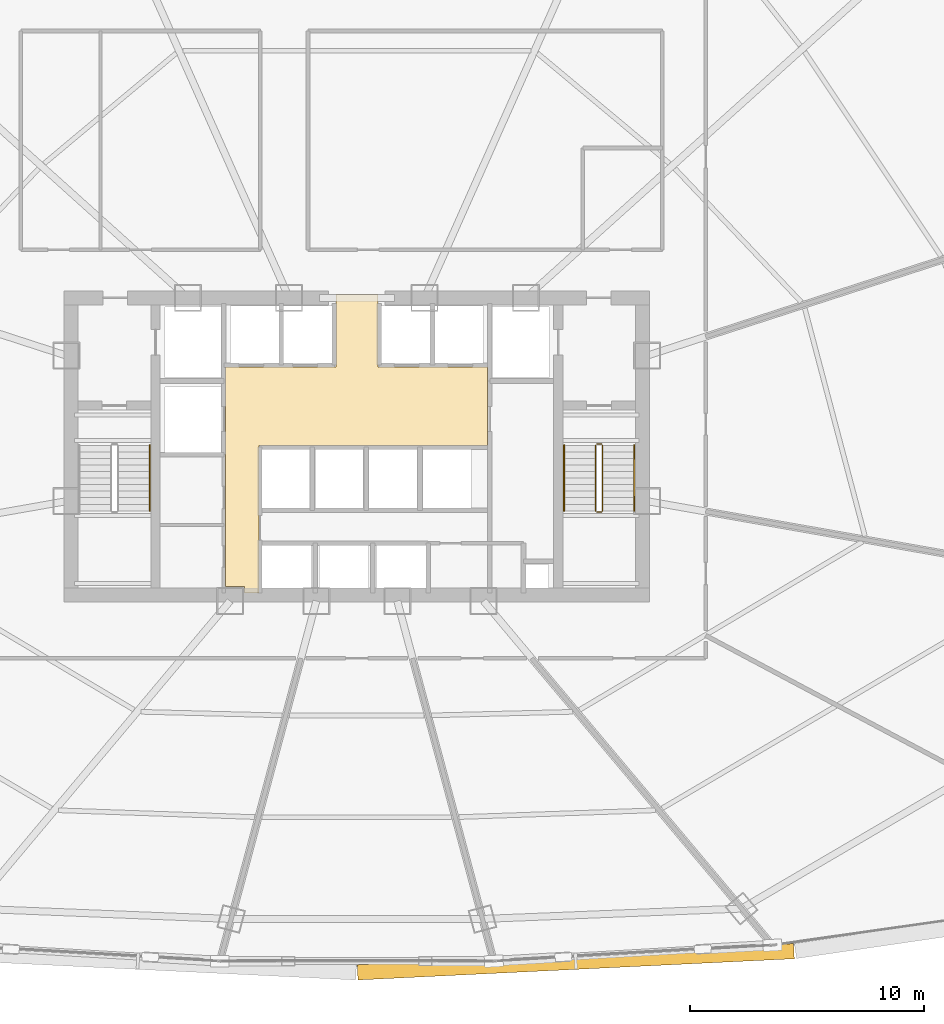
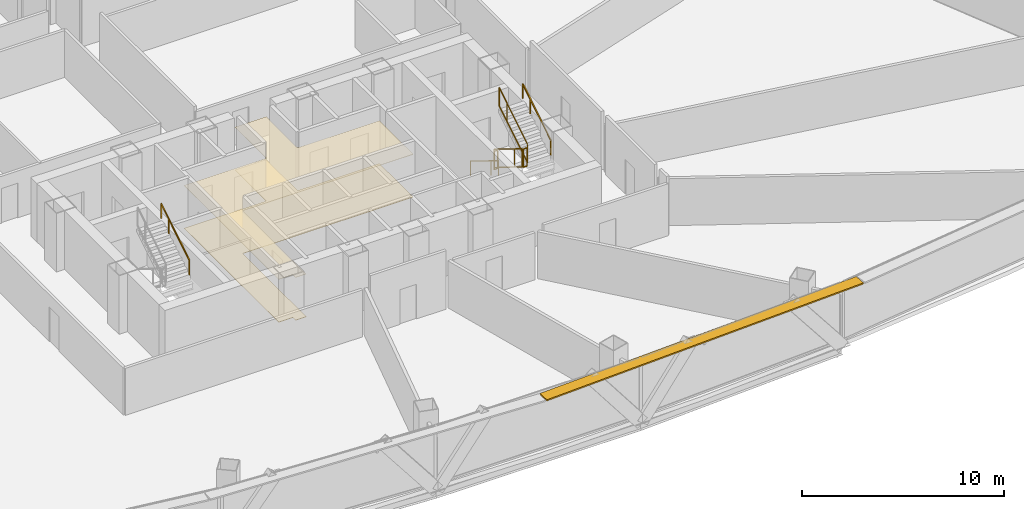
# One storey, part 37 of 39: 7 railings, 2 coverings, 1 shading device.
"""IFC4 building model written with IfcOpenShell, lengths in metres."""

from ifc_helpers import new_model, si_unit, direction, frame, origin, origin_2d, place, context, subcontext, project, spatial, polyline, rectangle, outline, extrude, source, transform, mapped, material, layer, layer_set, type_object, element, save


model = new_model("IFC4")

# Units and contexts
model_context = context("Model", 3, precision=1e-05, world=origin(), true_north=direction((0.0, 1.0)))
body_context = subcontext(model_context, "Body", "Model", "MODEL_VIEW")
ifc_project = project(units=[si_unit("LENGTHUNIT", "METRE"), si_unit("AREAUNIT", "SQUARE_METRE"), si_unit("VOLUMEUNIT", "CUBIC_METRE"), si_unit("PLANEANGLEUNIT", "RADIAN"), si_unit("MASSUNIT", "GRAM", prefix="KILO"), si_unit("THERMODYNAMICTEMPERATUREUNIT", "KELVIN"), si_unit("POWERUNIT", "WATT")], contexts=[model_context])

# Site, building, storey
site_placement = place(None, origin())
site = spatial("IfcSite", under=ifc_project, at=site_placement, CompositionType="ELEMENT")
building_placement = place(site_placement, origin())
building = spatial("IfcBuilding", under=site, at=building_placement, Name="Yunzhuo Pagoda Commons", CompositionType="ELEMENT")
storey_placement = place(building_placement, frame((0.0, 0.0, 96.3798828125)))
storey = spatial("IfcBuildingStorey", under=building, at=storey_placement, Name="L24", CompositionType="ELEMENT", Elevation=96.3798828125)

# Coverings
ifc_material_1 = material(Name="Mineral fibre acoustic ceiling board")
ifc_layer_1 = layer(ifc_material_1, 0.02490234375)
ifc_layer_set_1 = layer_set([ifc_layer_1], Name="Mineral fibre acoustic ceiling board")
covering_type_1 = type_object("IfcCoveringType", Name="COV-CL1 Ceiling 25", PredefinedType="CEILING", material=ifc_layer_set_1)
covering_1_placement = place(storey_placement, frame((0.0, 0.0, 2.590087890625)))
element("IfcCovering", 1, at=covering_1_placement, inside=storey, type_object=covering_type_1, Name="L24 lift lobby acoustic ceiling", PredefinedType="CEILING", context=body_context, shape_type="SweptSolid", body=[
    extrude(outline(polyline([(43.207763671875, 27.85009765625), (43.201904296875, 27.864013671875), (43.187744140625, 27.8701171875), (42.39990234375, 27.8701171875), (42.39990234375, 33.89990234375), (42.39990234375, 37.25), (47.10009765625, 37.25), (47.10009765625, 40.35009765625), (48.89990234375, 40.35009765625), (48.89990234375, 37.25), (53.580078125, 37.25), (53.580078125, 33.89990234375), (43.820068359375, 33.89990234375), (43.820068359375, 27.60009765625), (43.207763671875, 27.60009765625), (43.207763671875, 27.85009765625)])), origin(), (0.0, 0.0, 1.0), 0.025146484375),
])
ifc_material_2 = material(Name="Porcelain ceramic floor tile")
ifc_layer_2 = layer(ifc_material_2, 0.02001953125)
ifc_layer_set_2 = layer_set([ifc_layer_2], Name="Porcelain ceramic floor tile")
covering_type_2 = type_object("IfcCoveringType", Name="COV-FL1 Flooring 20", PredefinedType="FLOORING", material=ifc_layer_set_2)
covering_2_placement = place(storey_placement, origin())
element("IfcCovering", 2, at=covering_2_placement, inside=storey, type_object=covering_type_2, Name="L24 lift lobby flooring", PredefinedType="FLOORING", context=body_context, shape_type="SweptSolid", body=[
    extrude(outline(polyline([(43.207763671875, 27.85009765625), (43.201904296875, 27.864013671875), (43.187744140625, 27.8701171875), (42.39990234375, 27.8701171875), (42.39990234375, 33.89990234375), (42.39990234375, 37.25), (47.10009765625, 37.25), (47.10009765625, 40.35009765625), (48.89990234375, 40.35009765625), (48.89990234375, 37.25), (53.580078125, 37.25), (53.580078125, 33.89990234375), (43.820068359375, 33.89990234375), (43.820068359375, 27.60009765625), (43.207763671875, 27.60009765625), (43.207763671875, 27.85009765625)])), origin(), (0.0, 0.0, 1.0), 0.02001953125),
])

# Railings
ifc_material_3 = material(Name="Anodized aluminium 6063-T6", Category="aluminium")
railing_type_1 = type_object("IfcRailingType", Name="GR-ST2 Stair Well Guardrail 1160", PredefinedType="GUARDRAIL", material=ifc_material_3)
railing_1_placement = place(storey_placement, frame((58.199951171875, 33.89990234375, 0.1728515625)))
element("IfcRailing", 3, at=railing_1_placement, inside=storey, type_object=railing_type_1, Name="L24 ST2 stair guard 1", PredefinedType="GUARDRAIL", context=body_context, shape_type="SweptSolid", body=[
    extrude(rectangle(XDim=0.048095703125, YDim=0.048095703125, at=origin_2d()), frame((0.0, 0.0, 1.1259765625), z_axis=(0.0, -0.851069175582, 0.525053576669), x_axis=(1.0, 0.0, 0.0)), (0.0, 0.0, 1.0), 3.289794921875),
    extrude(rectangle(XDim=0.048095703125, YDim=0.048095703125, at=origin_2d()), frame((0.0, 0.0, 0.02392578125), z_axis=(0.0, -0.851069175582, 0.525053576669), x_axis=(1.0, 0.0, 0.0)), (0.0, 0.0, 1.0), 3.289794921875),
    extrude(rectangle(XDim=0.0419921875, YDim=0.0419921875, at=origin_2d()), origin(), (0.0, 0.0, 1.0), 1.101806640625),
    extrude(rectangle(XDim=0.0419921875, YDim=0.0419921875, at=origin_2d()), frame((0.0, -2.04248046875, 1.260009765625)), (0.0, 0.0, 1.0), 1.101806640625),
    extrude(rectangle(XDim=0.0419921875, YDim=0.0419921875, at=origin_2d()), frame((0.0, -2.7998046875, 1.727294921875)), (0.0, 0.0, 1.0), 1.101806640625),
])
railing_2_placement = place(storey_placement, frame((58.25, 31.050048828125, 1.900146484375)))
element("IfcRailing", 4, at=railing_2_placement, inside=storey, type_object=railing_type_1, Name="L24 ST2 stair guard 2", PredefinedType="GUARDRAIL", context=body_context, shape_type="SweptSolid", body=[
    extrude(rectangle(XDim=0.048095703125, YDim=0.048095703125, at=origin_2d()), frame((0.0, 0.0, 1.1259765625), z_axis=(1.0, 0.0, 0.0), x_axis=(0.0, 1.0, 0.0)), (0.0, 0.0, 1.0), 0.199951171875),
    extrude(rectangle(XDim=0.048095703125, YDim=0.048095703125, at=origin_2d()), frame((0.0, 0.0, 0.02392578125), z_axis=(1.0, 0.0, 0.0), x_axis=(0.0, 1.0, 0.0)), (0.0, 0.0, 1.0), 0.199951171875),
    extrude(rectangle(XDim=0.0419921875, YDim=0.0419921875, at=origin_2d()), origin(), (0.0, 0.0, 1.0), 1.101806640625),
    extrude(rectangle(XDim=0.0419921875, YDim=0.0419921875, at=origin_2d()), frame((0.199951171875, 0.0, 0.0)), (0.0, 0.0, 1.0), 1.101806640625),
])
railing_3_placement = place(storey_placement, frame((58.5, 31.10009765625, 2.07275390625)))
element("IfcRailing", 5, at=railing_3_placement, inside=storey, type_object=railing_type_1, Name="L24 ST2 stair guard 3", PredefinedType="GUARDRAIL", context=body_context, shape_type="SweptSolid", body=[
    extrude(rectangle(XDim=0.048095703125, YDim=0.048095703125, at=origin_2d()), frame((0.0, 0.0, 1.1259765625), z_axis=(0.0, 0.851069175582, 0.525053576669), x_axis=(-1.0, 0.0, 0.0)), (0.0, 0.0, 1.0), 3.289794921875),
    extrude(rectangle(XDim=0.048095703125, YDim=0.048095703125, at=origin_2d()), frame((0.0, 0.0, 0.02392578125), z_axis=(0.0, 0.851069175582, 0.525053576669), x_axis=(-1.0, 0.0, 0.0)), (0.0, 0.0, 1.0), 3.289794921875),
    extrude(rectangle(XDim=0.0419921875, YDim=0.0419921875, at=origin_2d()), origin(), (0.0, 0.0, 1.0), 1.101806640625),
    extrude(rectangle(XDim=0.0419921875, YDim=0.0419921875, at=origin_2d()), frame((0.0, 2.04248046875, 1.260009765625)), (0.0, 0.0, 1.0), 1.101806640625),
    extrude(rectangle(XDim=0.0419921875, YDim=0.0419921875, at=origin_2d()), frame((0.0, 2.7998046875, 1.727294921875)), (0.0, 0.0, 1.0), 1.101806640625),
])
railing_4_placement = place(storey_placement, frame((58.25, 33.949951171875, 0.0)))
element("IfcRailing", 6, at=railing_4_placement, inside=storey, type_object=railing_type_1, Name="L24 ST2 stair guard 4", PredefinedType="GUARDRAIL", context=body_context, shape_type="SweptSolid", body=[
    extrude(rectangle(XDim=0.048095703125, YDim=0.048095703125, at=origin_2d()), frame((0.0, 0.0, 1.1259765625), z_axis=(1.0, 0.0, 0.0), x_axis=(0.0, 1.0, 0.0)), (0.0, 0.0, 1.0), 0.199951171875),
    extrude(rectangle(XDim=0.048095703125, YDim=0.048095703125, at=origin_2d()), frame((0.0, 0.0, 0.02392578125), z_axis=(1.0, 0.0, 0.0), x_axis=(0.0, 1.0, 0.0)), (0.0, 0.0, 1.0), 0.199951171875),
    extrude(rectangle(XDim=0.0419921875, YDim=0.0419921875, at=origin_2d()), origin(), (0.0, 0.0, 1.0), 1.101806640625),
    extrude(rectangle(XDim=0.0419921875, YDim=0.0419921875, at=origin_2d()), frame((0.199951171875, 0.0, 0.0)), (0.0, 0.0, 1.0), 1.101806640625),
])
railing_type_2 = type_object("IfcRailingType", Name="HR-ST1 Stair Handrail 900", PredefinedType="HANDRAIL", material=ifc_material_3)
railing_5_placement = place(storey_placement, frame((39.14990234375, 31.10009765625, 2.07275390625)))
element("IfcRailing", 7, at=railing_5_placement, inside=storey, type_object=railing_type_2, Name="L24 ST1 stair handrail 2", PredefinedType="HANDRAIL", context=body_context, shape_type="SweptSolid", body=[
    extrude(rectangle(XDim=0.048095703125, YDim=0.048095703125, at=origin_2d()), frame((0.0, 0.0, 0.8759765625), z_axis=(0.0, 0.851069175582, 0.525053576669), x_axis=(-1.0, 0.0, 0.0)), (0.0, 0.0, 1.0), 3.289794921875),
    extrude(rectangle(XDim=0.0419921875, YDim=0.0419921875, at=origin_2d()), origin(), (0.0, 0.0, 1.0), 0.851806640625),
    extrude(rectangle(XDim=0.0419921875, YDim=0.0419921875, at=origin_2d()), frame((0.0, 2.04248046875, 1.260009765625)), (0.0, 0.0, 1.0), 0.851806640625),
    extrude(rectangle(XDim=0.0419921875, YDim=0.0419921875, at=origin_2d()), frame((0.0, 2.7998046875, 1.727294921875)), (0.0, 0.0, 1.0), 0.851806640625),
])
railing_type_3 = type_object("IfcRailingType", Name="HR-ST2 Stair Handrail 900", PredefinedType="HANDRAIL", material=ifc_material_3)
railing_6_placement = place(storey_placement, frame((56.85009765625, 33.89990234375, 0.1728515625)))
element("IfcRailing", 8, at=railing_6_placement, inside=storey, type_object=railing_type_3, Name="L24 ST2 stair handrail 1", PredefinedType="HANDRAIL", context=body_context, shape_type="SweptSolid", body=[
    extrude(rectangle(XDim=0.048095703125, YDim=0.048095703125, at=origin_2d()), frame((0.0, 0.0, 0.8759765625), z_axis=(0.0, -0.851069175582, 0.525053576669), x_axis=(1.0, 0.0, 0.0)), (0.0, 0.0, 1.0), 3.289794921875),
    extrude(rectangle(XDim=0.0419921875, YDim=0.0419921875, at=origin_2d()), origin(), (0.0, 0.0, 1.0), 0.851806640625),
    extrude(rectangle(XDim=0.0419921875, YDim=0.0419921875, at=origin_2d()), frame((0.0, -2.04248046875, 1.260009765625)), (0.0, 0.0, 1.0), 0.851806640625),
    extrude(rectangle(XDim=0.0419921875, YDim=0.0419921875, at=origin_2d()), frame((0.0, -2.7998046875, 1.727294921875)), (0.0, 0.0, 1.0), 0.851806640625),
])
railing_7_placement = place(storey_placement, frame((59.85009765625, 31.10009765625, 2.07275390625)))
element("IfcRailing", 9, at=railing_7_placement, inside=storey, type_object=railing_type_3, Name="L24 ST2 stair handrail 2", PredefinedType="HANDRAIL", context=body_context, shape_type="SweptSolid", body=[
    extrude(rectangle(XDim=0.048095703125, YDim=0.048095703125, at=origin_2d()), frame((0.0, 0.0, 0.8759765625), z_axis=(0.0, 0.851069175582, 0.525053576669), x_axis=(-1.0, 0.0, 0.0)), (0.0, 0.0, 1.0), 3.289794921875),
    extrude(rectangle(XDim=0.0419921875, YDim=0.0419921875, at=origin_2d()), origin(), (0.0, 0.0, 1.0), 0.851806640625),
    extrude(rectangle(XDim=0.0419921875, YDim=0.0419921875, at=origin_2d()), frame((0.0, 2.04248046875, 1.260009765625)), (0.0, 0.0, 1.0), 0.851806640625),
    extrude(rectangle(XDim=0.0419921875, YDim=0.0419921875, at=origin_2d()), frame((0.0, 2.7998046875, 1.727294921875)), (0.0, 0.0, 1.0), 0.851806640625),
])

# Shading device
ifc_layer_3 = layer(ifc_material_3, 0.080078125)
ifc_layer_set_3 = layer_set([ifc_layer_3], Name="Anodized aluminium 6063-T6")
shading_device_type = type_object("IfcShadingDeviceType", Name="SH-SUN1 Pagoda Horizontal Sunshade Eave 650", PredefinedType="USERDEFINED", material=ifc_layer_set_3)
shared_shape = source(origin(), body_context, "Body", "SweptSolid", [
    extrude(rectangle(XDim=18.662109375, YDim=0.64990234375, at=origin_2d()), origin(), (0.0, 0.0, 1.0), 0.080078125),
])
shading_device_placement = place(storey_placement, frame((57.351806640625, 11.839599609375, 3.4599609375), z_axis=(0.0, 0.0, 1.0), x_axis=(0.998818043775, 0.04860571396, 0.0)))
element("IfcShadingDevice", 10, at=shading_device_placement, inside=storey, type_object=shading_device_type, Name="L24 horizontal pagoda sunshade eave F1.3", ObjectType="SUNSHADE", PredefinedType="USERDEFINED", context=body_context, shape_type="MappedRepresentation", body=[
    mapped(shared_shape, transform((0.0, 0.0, 0.0), scale=1.0)),
])

save(model, "model.ifc")
